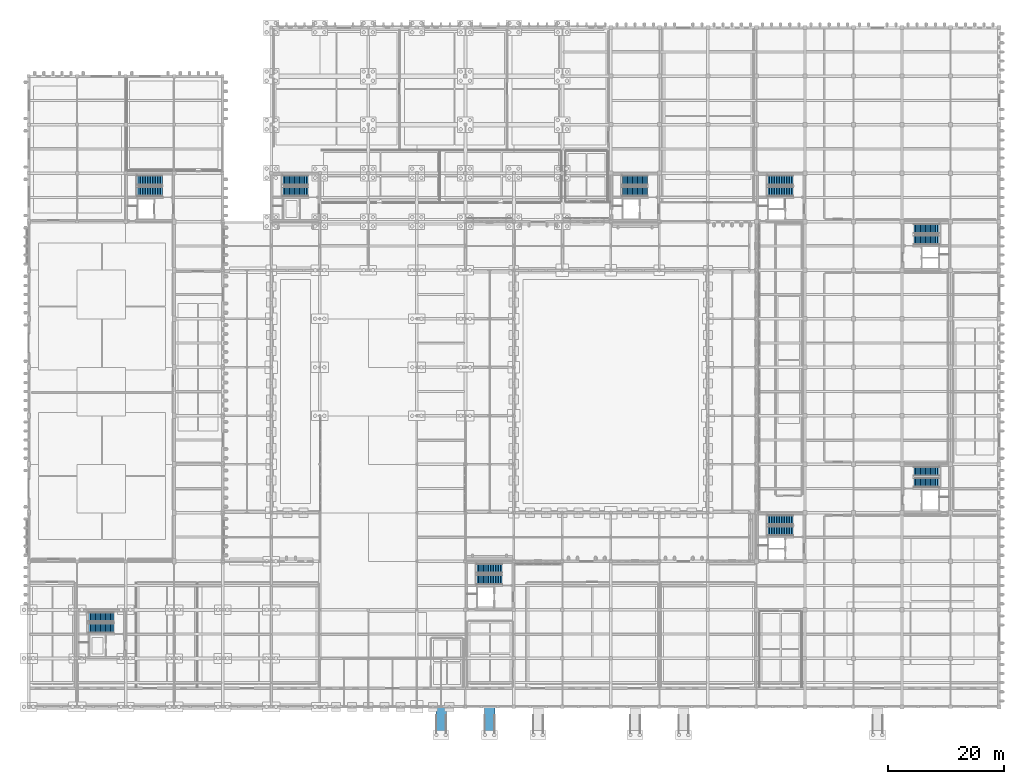
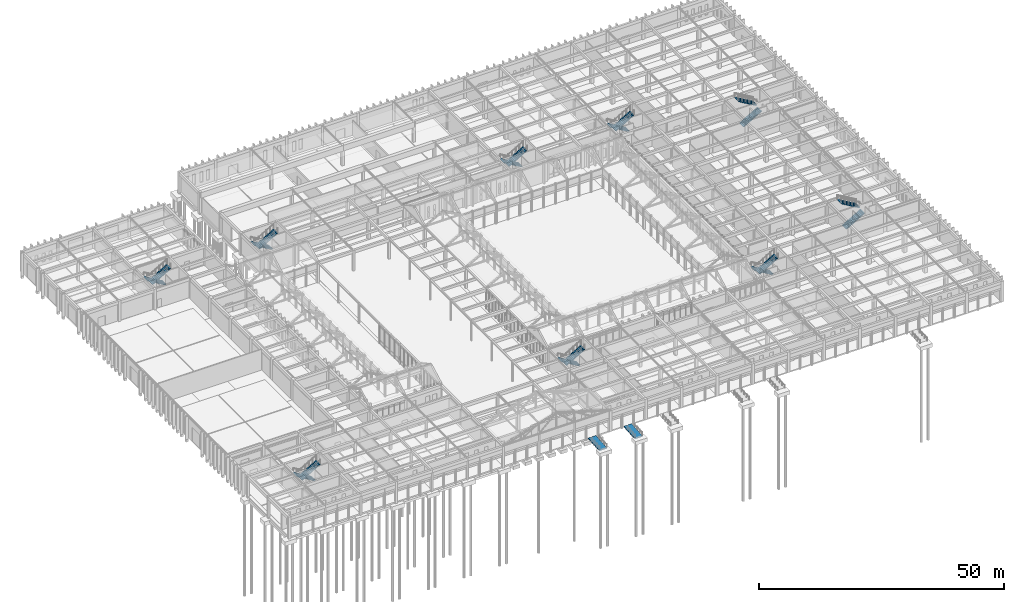
# One storey, part 129 of 143: 18 stair flights, 2 ramp flights, 11 elements without a shape of their own.
"""IFC4 building model written with IfcOpenShell, lengths in metres."""

from ifc_helpers import new_model, si_unit, direction, frame, origin, place, context, subcontext, project, spatial, polyline, outline, extrude, material, layer, layer_set, type_object, element, aggregate, save


model = new_model("IFC4")

# Units and contexts
model_context = context("Model", 3, precision=1e-05, world=origin(), true_north=direction((0.0, 1.0)))
body_context = subcontext(model_context, "Body", "Model", "MODEL_VIEW")
ifc_project = project(units=[si_unit("LENGTHUNIT", "METRE"), si_unit("AREAUNIT", "SQUARE_METRE"), si_unit("VOLUMEUNIT", "CUBIC_METRE"), si_unit("PLANEANGLEUNIT", "RADIAN"), si_unit("MASSUNIT", "GRAM", prefix="KILO")], contexts=[model_context])

# Site, building, storey
site_placement = place(None, origin())
site = spatial("IfcSite", under=ifc_project, at=site_placement, CompositionType="ELEMENT")
building_placement = place(site_placement, origin())
building = spatial("IfcBuilding", under=site, at=building_placement, Name="Kveldsbrygga Polytechnic", CompositionType="ELEMENT")
storey_placement = place(building_placement, origin())
storey = spatial("IfcBuildingStorey", under=building, at=storey_placement, Name="L00", CompositionType="ELEMENT", Elevation=0.0)

# Stair, stair flights
ifc_material = material(Name="Concrete C35/45", Category="concrete")
stair_type = type_object("IfcStairType", Name="STR-CORE-544", PredefinedType="HALF_TURN_STAIR", material=ifc_material)
stair_1_placement = place(storey_placement, origin())
stair_1 = element("IfcStair", 1, at=stair_1_placement, inside=storey, type_object=stair_type, Name="L00 Core C1 Escape Stair ST-1", PredefinedType="HALF_TURN_STAIR")
stair_flight_type = type_object("IfcStairFlightType", Name="SFL-CORE-16R", PredefinedType="STRAIGHT", material=ifc_material)
stair_flight_1_placement = place(storey_placement, frame((132.35009765625, 32.375, 0.0), z_axis=(0.0, 0.0, 1.0), x_axis=(-1.0, 0.0, 0.0)))
stair_flight_1 = element("IfcStairFlight", 2, at=stair_flight_1_placement, type_object=stair_flight_type, Name="ST-1 flight 1", NumberOfRisers=16, NumberOfTreads=15, PredefinedType="STRAIGHT", RiserHeight=0.17, TreadLength=0.29, context=body_context, shape_type="SweptSolid", body=[
    extrude(outline(polyline([(0.0, 0.0), (0.0, 0.169921875), (0.2900390625, 0.169921875), (0.2900390625, 0.340087890625), (0.580078125, 0.340087890625), (0.580078125, 0.510009765625), (0.8701171875, 0.510009765625), (0.8701171875, 0.679931640625), (1.159912109375, 0.679931640625), (1.159912109375, 0.85009765625), (1.449951171875, 0.85009765625), (1.449951171875, 1.02001953125), (1.739990234375, 1.02001953125), (1.739990234375, 1.18994140625), (2.030029296875, 1.18994140625), (2.030029296875, 1.360107421875), (2.320068359375, 1.360107421875), (2.320068359375, 1.530029296875), (2.610107421875, 1.530029296875), (2.610107421875, 1.699951171875), (2.89990234375, 1.699951171875), (2.89990234375, 1.8701171875), (3.18994140625, 1.8701171875), (3.18994140625, 2.0400390625), (3.47998046875, 2.0400390625), (3.47998046875, 2.2099609375), (3.77001953125, 2.2099609375), (3.77001953125, 2.3798828125), (4.06005859375, 2.3798828125), (4.06005859375, 2.550048828125), (4.35009765625, 2.550048828125), (4.35009765625, 2.719970703125), (4.35009765625, 2.36474609375), (0.316162109375, 0.0), (0.0, 0.0)])), frame((0.0, 0.824951171875, 0.0), z_axis=(0.0, -1.0, 0.0), x_axis=(1.0, 0.0, 0.0)), (0.0, 0.0, 1.0), 1.64990234375),
])
stair_flight_2_placement = place(storey_placement, frame((128.0, 30.425048828125, 2.719970703125), z_axis=(0.0, 0.0, 1.0), x_axis=(1.0, 0.0, 0.0)))
stair_flight_2 = element("IfcStairFlight", 3, at=stair_flight_2_placement, type_object=stair_flight_type, Name="ST-1 flight 2", NumberOfRisers=16, NumberOfTreads=15, PredefinedType="STRAIGHT", RiserHeight=0.17, TreadLength=0.29, context=body_context, shape_type="SweptSolid", body=[
    extrude(outline(polyline([(0.0, 0.0), (0.0, 0.169921875), (0.2900390625, 0.169921875), (0.2900390625, 0.340087890625), (0.580078125, 0.340087890625), (0.580078125, 0.510009765625), (0.8701171875, 0.510009765625), (0.8701171875, 0.679931640625), (1.159912109375, 0.679931640625), (1.159912109375, 0.85009765625), (1.449951171875, 0.85009765625), (1.449951171875, 1.02001953125), (1.739990234375, 1.02001953125), (1.739990234375, 1.18994140625), (2.030029296875, 1.18994140625), (2.030029296875, 1.360107421875), (2.320068359375, 1.360107421875), (2.320068359375, 1.530029296875), (2.610107421875, 1.530029296875), (2.610107421875, 1.699951171875), (2.89990234375, 1.699951171875), (2.89990234375, 1.8701171875), (3.18994140625, 1.8701171875), (3.18994140625, 2.0400390625), (3.47998046875, 2.0400390625), (3.47998046875, 2.2099609375), (3.77001953125, 2.2099609375), (3.77001953125, 2.3798828125), (4.06005859375, 2.3798828125), (4.06005859375, 2.550048828125), (4.35009765625, 2.550048828125), (4.35009765625, 2.719970703125), (4.35009765625, 2.36474609375), (0.316162109375, 0.0), (0.0, 0.0)])), frame((0.0, 0.824951171875, 0.0), z_axis=(0.0, -1.0, 0.0), x_axis=(1.0, 0.0, 0.0)), (0.0, 0.0, 1.0), 1.64990234375),
])
aggregate(stair_1, [stair_flight_1, stair_flight_2])

stair_2_placement = place(storey_placement, origin())
stair_2 = element("IfcStair", 4, at=stair_2_placement, inside=storey, type_object=stair_type, Name="L00 Core C2 Escape Stair ST-2", PredefinedType="HALF_TURN_STAIR")
stair_flight_3_placement = place(storey_placement, frame((132.35009765625, 91.175048828125, 0.0), z_axis=(0.0, 0.0, 1.0), x_axis=(-1.0, 0.0, 0.0)))
stair_flight_3 = element("IfcStairFlight", 5, at=stair_flight_3_placement, type_object=stair_flight_type, Name="ST-2 flight 1", NumberOfRisers=16, NumberOfTreads=15, PredefinedType="STRAIGHT", RiserHeight=0.17, TreadLength=0.29, context=body_context, shape_type="SweptSolid", body=[
    extrude(outline(polyline([(0.0, 0.0), (0.0, 0.169921875), (0.2900390625, 0.169921875), (0.2900390625, 0.340087890625), (0.580078125, 0.340087890625), (0.580078125, 0.510009765625), (0.8701171875, 0.510009765625), (0.8701171875, 0.679931640625), (1.159912109375, 0.679931640625), (1.159912109375, 0.85009765625), (1.449951171875, 0.85009765625), (1.449951171875, 1.02001953125), (1.739990234375, 1.02001953125), (1.739990234375, 1.18994140625), (2.030029296875, 1.18994140625), (2.030029296875, 1.360107421875), (2.320068359375, 1.360107421875), (2.320068359375, 1.530029296875), (2.610107421875, 1.530029296875), (2.610107421875, 1.699951171875), (2.89990234375, 1.699951171875), (2.89990234375, 1.8701171875), (3.18994140625, 1.8701171875), (3.18994140625, 2.0400390625), (3.47998046875, 2.0400390625), (3.47998046875, 2.2099609375), (3.77001953125, 2.2099609375), (3.77001953125, 2.3798828125), (4.06005859375, 2.3798828125), (4.06005859375, 2.550048828125), (4.35009765625, 2.550048828125), (4.35009765625, 2.719970703125), (4.35009765625, 2.36474609375), (0.316162109375, 0.0), (0.0, 0.0)])), frame((0.0, 0.824951171875, 0.0), z_axis=(0.0, -1.0, 0.0), x_axis=(1.0, 0.0, 0.0)), (0.0, 0.0, 1.0), 1.64990234375),
])
stair_flight_4_placement = place(storey_placement, frame((128.0, 89.22509765625, 2.719970703125), z_axis=(0.0, 0.0, 1.0), x_axis=(1.0, 0.0, 0.0)))
stair_flight_4 = element("IfcStairFlight", 6, at=stair_flight_4_placement, type_object=stair_flight_type, Name="ST-2 flight 2", NumberOfRisers=16, NumberOfTreads=15, PredefinedType="STRAIGHT", RiserHeight=0.17, TreadLength=0.29, context=body_context, shape_type="SweptSolid", body=[
    extrude(outline(polyline([(0.0, 0.0), (0.0, 0.169921875), (0.2900390625, 0.169921875), (0.2900390625, 0.340087890625), (0.580078125, 0.340087890625), (0.580078125, 0.510009765625), (0.8701171875, 0.510009765625), (0.8701171875, 0.679931640625), (1.159912109375, 0.679931640625), (1.159912109375, 0.85009765625), (1.449951171875, 0.85009765625), (1.449951171875, 1.02001953125), (1.739990234375, 1.02001953125), (1.739990234375, 1.18994140625), (2.030029296875, 1.18994140625), (2.030029296875, 1.360107421875), (2.320068359375, 1.360107421875), (2.320068359375, 1.530029296875), (2.610107421875, 1.530029296875), (2.610107421875, 1.699951171875), (2.89990234375, 1.699951171875), (2.89990234375, 1.8701171875), (3.18994140625, 1.8701171875), (3.18994140625, 2.0400390625), (3.47998046875, 2.0400390625), (3.47998046875, 2.2099609375), (3.77001953125, 2.2099609375), (3.77001953125, 2.3798828125), (4.06005859375, 2.3798828125), (4.06005859375, 2.550048828125), (4.35009765625, 2.550048828125), (4.35009765625, 2.719970703125), (4.35009765625, 2.36474609375), (0.316162109375, 0.0), (0.0, 0.0)])), frame((0.0, 0.824951171875, 0.0), z_axis=(0.0, -1.0, 0.0), x_axis=(1.0, 0.0, 0.0)), (0.0, 0.0, 1.0), 1.64990234375),
])
aggregate(stair_2, [stair_flight_3, stair_flight_4])

stair_3_placement = place(storey_placement, origin())
stair_3 = element("IfcStair", 7, at=stair_3_placement, inside=storey, type_object=stair_type, Name="L00 Core C3 Escape Stair ST-3", PredefinedType="HALF_TURN_STAIR")
stair_flight_5_placement = place(storey_placement, frame((153.25, 38.824951171875, 0.0), z_axis=(0.0, 0.0, 1.0), x_axis=(1.0, 0.0, 0.0)))
stair_flight_5 = element("IfcStairFlight", 8, at=stair_flight_5_placement, type_object=stair_flight_type, Name="ST-3 flight 1", NumberOfRisers=16, NumberOfTreads=15, PredefinedType="STRAIGHT", RiserHeight=0.17, TreadLength=0.29, context=body_context, shape_type="SweptSolid", body=[
    extrude(outline(polyline([(0.0, 0.0), (0.0, 0.169921875), (0.2900390625, 0.169921875), (0.2900390625, 0.340087890625), (0.580078125, 0.340087890625), (0.580078125, 0.510009765625), (0.8701171875, 0.510009765625), (0.8701171875, 0.679931640625), (1.159912109375, 0.679931640625), (1.159912109375, 0.85009765625), (1.449951171875, 0.85009765625), (1.449951171875, 1.02001953125), (1.739990234375, 1.02001953125), (1.739990234375, 1.18994140625), (2.030029296875, 1.18994140625), (2.030029296875, 1.360107421875), (2.320068359375, 1.360107421875), (2.320068359375, 1.530029296875), (2.610107421875, 1.530029296875), (2.610107421875, 1.699951171875), (2.89990234375, 1.699951171875), (2.89990234375, 1.8701171875), (3.18994140625, 1.8701171875), (3.18994140625, 2.0400390625), (3.47998046875, 2.0400390625), (3.47998046875, 2.2099609375), (3.77001953125, 2.2099609375), (3.77001953125, 2.3798828125), (4.06005859375, 2.3798828125), (4.06005859375, 2.550048828125), (4.35009765625, 2.550048828125), (4.35009765625, 2.719970703125), (4.35009765625, 2.36474609375), (0.316162109375, 0.0), (0.0, 0.0)])), frame((0.0, 0.824951171875, 0.0), z_axis=(0.0, -1.0, 0.0), x_axis=(1.0, 0.0, 0.0)), (0.0, 0.0, 1.0), 1.64990234375),
])
stair_flight_6_placement = place(storey_placement, frame((157.60009765625, 40.77490234375, 2.719970703125), z_axis=(0.0, 0.0, 1.0), x_axis=(-1.0, 0.0, 0.0)))
stair_flight_6 = element("IfcStairFlight", 9, at=stair_flight_6_placement, type_object=stair_flight_type, Name="ST-3 flight 2", NumberOfRisers=16, NumberOfTreads=15, PredefinedType="STRAIGHT", RiserHeight=0.17, TreadLength=0.29, context=body_context, shape_type="SweptSolid", body=[
    extrude(outline(polyline([(0.0, 0.0), (0.0, 0.169921875), (0.2900390625, 0.169921875), (0.2900390625, 0.340087890625), (0.580078125, 0.340087890625), (0.580078125, 0.510009765625), (0.8701171875, 0.510009765625), (0.8701171875, 0.679931640625), (1.159912109375, 0.679931640625), (1.159912109375, 0.85009765625), (1.449951171875, 0.85009765625), (1.449951171875, 1.02001953125), (1.739990234375, 1.02001953125), (1.739990234375, 1.18994140625), (2.030029296875, 1.18994140625), (2.030029296875, 1.360107421875), (2.320068359375, 1.360107421875), (2.320068359375, 1.530029296875), (2.610107421875, 1.530029296875), (2.610107421875, 1.699951171875), (2.89990234375, 1.699951171875), (2.89990234375, 1.8701171875), (3.18994140625, 1.8701171875), (3.18994140625, 2.0400390625), (3.47998046875, 2.0400390625), (3.47998046875, 2.2099609375), (3.77001953125, 2.2099609375), (3.77001953125, 2.3798828125), (4.06005859375, 2.3798828125), (4.06005859375, 2.550048828125), (4.35009765625, 2.550048828125), (4.35009765625, 2.719970703125), (4.35009765625, 2.36474609375), (0.316162109375, 0.0), (0.0, 0.0)])), frame((0.0, 0.824951171875, 0.0), z_axis=(0.0, -1.0, 0.0), x_axis=(1.0, 0.0, 0.0)), (0.0, 0.0, 1.0), 1.64990234375),
])
aggregate(stair_3, [stair_flight_5, stair_flight_6])

stair_4_placement = place(storey_placement, origin())
stair_4 = element("IfcStair", 10, at=stair_4_placement, inside=storey, type_object=stair_type, Name="L00 Core C4 Escape Stair ST-4", PredefinedType="HALF_TURN_STAIR")
stair_flight_7_placement = place(storey_placement, frame((153.25, 80.824951171875, 0.0), z_axis=(0.0, 0.0, 1.0), x_axis=(1.0, 0.0, 0.0)))
stair_flight_7 = element("IfcStairFlight", 11, at=stair_flight_7_placement, type_object=stair_flight_type, Name="ST-4 flight 1", NumberOfRisers=16, NumberOfTreads=15, PredefinedType="STRAIGHT", RiserHeight=0.17, TreadLength=0.29, context=body_context, shape_type="SweptSolid", body=[
    extrude(outline(polyline([(0.0, 0.0), (0.0, 0.169921875), (0.2900390625, 0.169921875), (0.2900390625, 0.340087890625), (0.580078125, 0.340087890625), (0.580078125, 0.510009765625), (0.8701171875, 0.510009765625), (0.8701171875, 0.679931640625), (1.159912109375, 0.679931640625), (1.159912109375, 0.85009765625), (1.449951171875, 0.85009765625), (1.449951171875, 1.02001953125), (1.739990234375, 1.02001953125), (1.739990234375, 1.18994140625), (2.030029296875, 1.18994140625), (2.030029296875, 1.360107421875), (2.320068359375, 1.360107421875), (2.320068359375, 1.530029296875), (2.610107421875, 1.530029296875), (2.610107421875, 1.699951171875), (2.89990234375, 1.699951171875), (2.89990234375, 1.8701171875), (3.18994140625, 1.8701171875), (3.18994140625, 2.0400390625), (3.47998046875, 2.0400390625), (3.47998046875, 2.2099609375), (3.77001953125, 2.2099609375), (3.77001953125, 2.3798828125), (4.06005859375, 2.3798828125), (4.06005859375, 2.550048828125), (4.35009765625, 2.550048828125), (4.35009765625, 2.719970703125), (4.35009765625, 2.36474609375), (0.316162109375, 0.0), (0.0, 0.0)])), frame((0.0, 0.824951171875, 0.0), z_axis=(0.0, -1.0, 0.0), x_axis=(1.0, 0.0, 0.0)), (0.0, 0.0, 1.0), 1.64990234375),
])
stair_flight_8_placement = place(storey_placement, frame((157.60009765625, 82.77490234375, 2.719970703125), z_axis=(0.0, 0.0, 1.0), x_axis=(-1.0, 0.0, 0.0)))
stair_flight_8 = element("IfcStairFlight", 12, at=stair_flight_8_placement, type_object=stair_flight_type, Name="ST-4 flight 2", NumberOfRisers=16, NumberOfTreads=15, PredefinedType="STRAIGHT", RiserHeight=0.17, TreadLength=0.29, context=body_context, shape_type="SweptSolid", body=[
    extrude(outline(polyline([(0.0, 0.0), (0.0, 0.169921875), (0.2900390625, 0.169921875), (0.2900390625, 0.340087890625), (0.580078125, 0.340087890625), (0.580078125, 0.510009765625), (0.8701171875, 0.510009765625), (0.8701171875, 0.679931640625), (1.159912109375, 0.679931640625), (1.159912109375, 0.85009765625), (1.449951171875, 0.85009765625), (1.449951171875, 1.02001953125), (1.739990234375, 1.02001953125), (1.739990234375, 1.18994140625), (2.030029296875, 1.18994140625), (2.030029296875, 1.360107421875), (2.320068359375, 1.360107421875), (2.320068359375, 1.530029296875), (2.610107421875, 1.530029296875), (2.610107421875, 1.699951171875), (2.89990234375, 1.699951171875), (2.89990234375, 1.8701171875), (3.18994140625, 1.8701171875), (3.18994140625, 2.0400390625), (3.47998046875, 2.0400390625), (3.47998046875, 2.2099609375), (3.77001953125, 2.2099609375), (3.77001953125, 2.3798828125), (4.06005859375, 2.3798828125), (4.06005859375, 2.550048828125), (4.35009765625, 2.550048828125), (4.35009765625, 2.719970703125), (4.35009765625, 2.36474609375), (0.316162109375, 0.0), (0.0, 0.0)])), frame((0.0, 0.824951171875, 0.0), z_axis=(0.0, -1.0, 0.0), x_axis=(1.0, 0.0, 0.0)), (0.0, 0.0, 1.0), 1.64990234375),
])
aggregate(stair_4, [stair_flight_7, stair_flight_8])

stair_5_placement = place(storey_placement, origin())
stair_5 = element("IfcStair", 13, at=stair_5_placement, inside=storey, type_object=stair_type, Name="L00 Core C5 Escape Stair ST-5", PredefinedType="HALF_TURN_STAIR")
stair_flight_9_placement = place(storey_placement, frame((107.14990234375, 91.175048828125, 0.0), z_axis=(0.0, 0.0, 1.0), x_axis=(-1.0, 0.0, 0.0)))
stair_flight_9 = element("IfcStairFlight", 14, at=stair_flight_9_placement, type_object=stair_flight_type, Name="ST-5 flight 1", NumberOfRisers=16, NumberOfTreads=15, PredefinedType="STRAIGHT", RiserHeight=0.17, TreadLength=0.29, context=body_context, shape_type="SweptSolid", body=[
    extrude(outline(polyline([(0.0, 0.0), (0.0, 0.169921875), (0.2900390625, 0.169921875), (0.2900390625, 0.340087890625), (0.580078125, 0.340087890625), (0.580078125, 0.510009765625), (0.8701171875, 0.510009765625), (0.8701171875, 0.679931640625), (1.159912109375, 0.679931640625), (1.159912109375, 0.85009765625), (1.449951171875, 0.85009765625), (1.449951171875, 1.02001953125), (1.739990234375, 1.02001953125), (1.739990234375, 1.18994140625), (2.030029296875, 1.18994140625), (2.030029296875, 1.360107421875), (2.320068359375, 1.360107421875), (2.320068359375, 1.530029296875), (2.610107421875, 1.530029296875), (2.610107421875, 1.699951171875), (2.89990234375, 1.699951171875), (2.89990234375, 1.8701171875), (3.18994140625, 1.8701171875), (3.18994140625, 2.0400390625), (3.47998046875, 2.0400390625), (3.47998046875, 2.2099609375), (3.77001953125, 2.2099609375), (3.77001953125, 2.3798828125), (4.06005859375, 2.3798828125), (4.06005859375, 2.550048828125), (4.35009765625, 2.550048828125), (4.35009765625, 2.719970703125), (4.35009765625, 2.36474609375), (0.316162109375, 0.0), (0.0, 0.0)])), frame((0.0, 0.824951171875, 0.0), z_axis=(0.0, -1.0, 0.0), x_axis=(1.0, 0.0, 0.0)), (0.0, 0.0, 1.0), 1.64990234375),
])
stair_flight_10_placement = place(storey_placement, frame((102.800048828125, 89.22509765625, 2.719970703125), z_axis=(0.0, 0.0, 1.0), x_axis=(1.0, 0.0, 0.0)))
stair_flight_10 = element("IfcStairFlight", 15, at=stair_flight_10_placement, type_object=stair_flight_type, Name="ST-5 flight 2", NumberOfRisers=16, NumberOfTreads=15, PredefinedType="STRAIGHT", RiserHeight=0.17, TreadLength=0.29, context=body_context, shape_type="SweptSolid", body=[
    extrude(outline(polyline([(0.0, 0.0), (0.0, 0.169921875), (0.2900390625, 0.169921875), (0.2900390625, 0.340087890625), (0.580078125, 0.340087890625), (0.580078125, 0.510009765625), (0.8701171875, 0.510009765625), (0.8701171875, 0.679931640625), (1.159912109375, 0.679931640625), (1.159912109375, 0.85009765625), (1.449951171875, 0.85009765625), (1.449951171875, 1.02001953125), (1.739990234375, 1.02001953125), (1.739990234375, 1.18994140625), (2.030029296875, 1.18994140625), (2.030029296875, 1.360107421875), (2.320068359375, 1.360107421875), (2.320068359375, 1.530029296875), (2.610107421875, 1.530029296875), (2.610107421875, 1.699951171875), (2.89990234375, 1.699951171875), (2.89990234375, 1.8701171875), (3.18994140625, 1.8701171875), (3.18994140625, 2.0400390625), (3.47998046875, 2.0400390625), (3.47998046875, 2.2099609375), (3.77001953125, 2.2099609375), (3.77001953125, 2.3798828125), (4.06005859375, 2.3798828125), (4.06005859375, 2.550048828125), (4.35009765625, 2.550048828125), (4.35009765625, 2.719970703125), (4.35009765625, 2.36474609375), (0.316162109375, 0.0), (0.0, 0.0)])), frame((0.0, 0.824951171875, 0.0), z_axis=(0.0, -1.0, 0.0), x_axis=(1.0, 0.0, 0.0)), (0.0, 0.0, 1.0), 1.64990234375),
])
aggregate(stair_5, [stair_flight_9, stair_flight_10])

stair_6_placement = place(storey_placement, origin())
stair_6 = element("IfcStair", 16, at=stair_6_placement, inside=storey, type_object=stair_type, Name="L00 Core C6 Escape Stair ST-6", PredefinedType="HALF_TURN_STAIR")
stair_flight_11_placement = place(storey_placement, frame((81.949951171875, 23.97509765625, 0.0), z_axis=(0.0, 0.0, 1.0), x_axis=(-1.0, 0.0, 0.0)))
stair_flight_11 = element("IfcStairFlight", 17, at=stair_flight_11_placement, type_object=stair_flight_type, Name="ST-6 flight 1", NumberOfRisers=16, NumberOfTreads=15, PredefinedType="STRAIGHT", RiserHeight=0.17, TreadLength=0.29, context=body_context, shape_type="SweptSolid", body=[
    extrude(outline(polyline([(0.0, 0.0), (0.0, 0.169921875), (0.2900390625, 0.169921875), (0.2900390625, 0.340087890625), (0.580078125, 0.340087890625), (0.580078125, 0.510009765625), (0.8701171875, 0.510009765625), (0.8701171875, 0.679931640625), (1.159912109375, 0.679931640625), (1.159912109375, 0.85009765625), (1.449951171875, 0.85009765625), (1.449951171875, 1.02001953125), (1.739990234375, 1.02001953125), (1.739990234375, 1.18994140625), (2.030029296875, 1.18994140625), (2.030029296875, 1.360107421875), (2.320068359375, 1.360107421875), (2.320068359375, 1.530029296875), (2.610107421875, 1.530029296875), (2.610107421875, 1.699951171875), (2.89990234375, 1.699951171875), (2.89990234375, 1.8701171875), (3.18994140625, 1.8701171875), (3.18994140625, 2.0400390625), (3.47998046875, 2.0400390625), (3.47998046875, 2.2099609375), (3.77001953125, 2.2099609375), (3.77001953125, 2.3798828125), (4.06005859375, 2.3798828125), (4.06005859375, 2.550048828125), (4.35009765625, 2.550048828125), (4.35009765625, 2.719970703125), (4.35009765625, 2.36474609375), (0.316162109375, 0.0), (0.0, 0.0)])), frame((0.0, 0.824951171875, 0.0), z_axis=(0.0, -1.0, 0.0), x_axis=(1.0, 0.0, 0.0)), (0.0, 0.0, 1.0), 1.64990234375),
])
stair_flight_12_placement = place(storey_placement, frame((77.60009765625, 22.02490234375, 2.719970703125), z_axis=(0.0, 0.0, 1.0), x_axis=(1.0, 0.0, 0.0)))
stair_flight_12 = element("IfcStairFlight", 18, at=stair_flight_12_placement, type_object=stair_flight_type, Name="ST-6 flight 2", NumberOfRisers=16, NumberOfTreads=15, PredefinedType="STRAIGHT", RiserHeight=0.17, TreadLength=0.29, context=body_context, shape_type="SweptSolid", body=[
    extrude(outline(polyline([(0.0, 0.0), (0.0, 0.169921875), (0.2900390625, 0.169921875), (0.2900390625, 0.340087890625), (0.580078125, 0.340087890625), (0.580078125, 0.510009765625), (0.8701171875, 0.510009765625), (0.8701171875, 0.679931640625), (1.159912109375, 0.679931640625), (1.159912109375, 0.85009765625), (1.449951171875, 0.85009765625), (1.449951171875, 1.02001953125), (1.739990234375, 1.02001953125), (1.739990234375, 1.18994140625), (2.030029296875, 1.18994140625), (2.030029296875, 1.360107421875), (2.320068359375, 1.360107421875), (2.320068359375, 1.530029296875), (2.610107421875, 1.530029296875), (2.610107421875, 1.699951171875), (2.89990234375, 1.699951171875), (2.89990234375, 1.8701171875), (3.18994140625, 1.8701171875), (3.18994140625, 2.0400390625), (3.47998046875, 2.0400390625), (3.47998046875, 2.2099609375), (3.77001953125, 2.2099609375), (3.77001953125, 2.3798828125), (4.06005859375, 2.3798828125), (4.06005859375, 2.550048828125), (4.35009765625, 2.550048828125), (4.35009765625, 2.719970703125), (4.35009765625, 2.36474609375), (0.316162109375, 0.0), (0.0, 0.0)])), frame((0.0, 0.824951171875, 0.0), z_axis=(0.0, -1.0, 0.0), x_axis=(1.0, 0.0, 0.0)), (0.0, 0.0, 1.0), 1.64990234375),
])
aggregate(stair_6, [stair_flight_11, stair_flight_12])

stair_7_placement = place(storey_placement, origin())
stair_7 = element("IfcStair", 19, at=stair_7_placement, inside=storey, type_object=stair_type, Name="L00 Core C7 Escape Stair ST-7", PredefinedType="HALF_TURN_STAIR")
stair_flight_13_placement = place(storey_placement, frame((48.35009765625, 91.175048828125, 0.0), z_axis=(0.0, 0.0, 1.0), x_axis=(-1.0, 0.0, 0.0)))
stair_flight_13 = element("IfcStairFlight", 20, at=stair_flight_13_placement, type_object=stair_flight_type, Name="ST-7 flight 1", NumberOfRisers=16, NumberOfTreads=15, PredefinedType="STRAIGHT", RiserHeight=0.17, TreadLength=0.29, context=body_context, shape_type="SweptSolid", body=[
    extrude(outline(polyline([(0.0, 0.0), (0.0, 0.169921875), (0.2900390625, 0.169921875), (0.2900390625, 0.340087890625), (0.580078125, 0.340087890625), (0.580078125, 0.510009765625), (0.8701171875, 0.510009765625), (0.8701171875, 0.679931640625), (1.159912109375, 0.679931640625), (1.159912109375, 0.85009765625), (1.449951171875, 0.85009765625), (1.449951171875, 1.02001953125), (1.739990234375, 1.02001953125), (1.739990234375, 1.18994140625), (2.030029296875, 1.18994140625), (2.030029296875, 1.360107421875), (2.320068359375, 1.360107421875), (2.320068359375, 1.530029296875), (2.610107421875, 1.530029296875), (2.610107421875, 1.699951171875), (2.89990234375, 1.699951171875), (2.89990234375, 1.8701171875), (3.18994140625, 1.8701171875), (3.18994140625, 2.0400390625), (3.47998046875, 2.0400390625), (3.47998046875, 2.2099609375), (3.77001953125, 2.2099609375), (3.77001953125, 2.3798828125), (4.06005859375, 2.3798828125), (4.06005859375, 2.550048828125), (4.35009765625, 2.550048828125), (4.35009765625, 2.719970703125), (4.35009765625, 2.36474609375), (0.316162109375, 0.0), (0.0, 0.0)])), frame((0.0, 0.824951171875, 0.0), z_axis=(0.0, -1.0, 0.0), x_axis=(1.0, 0.0, 0.0)), (0.0, 0.0, 1.0), 1.64990234375),
])
stair_flight_14_placement = place(storey_placement, frame((44.0, 89.22509765625, 2.719970703125), z_axis=(0.0, 0.0, 1.0), x_axis=(1.0, 0.0, 0.0)))
stair_flight_14 = element("IfcStairFlight", 21, at=stair_flight_14_placement, type_object=stair_flight_type, Name="ST-7 flight 2", NumberOfRisers=16, NumberOfTreads=15, PredefinedType="STRAIGHT", RiserHeight=0.17, TreadLength=0.29, context=body_context, shape_type="SweptSolid", body=[
    extrude(outline(polyline([(0.0, 0.0), (0.0, 0.169921875), (0.2900390625, 0.169921875), (0.2900390625, 0.340087890625), (0.580078125, 0.340087890625), (0.580078125, 0.510009765625), (0.8701171875, 0.510009765625), (0.8701171875, 0.679931640625), (1.159912109375, 0.679931640625), (1.159912109375, 0.85009765625), (1.449951171875, 0.85009765625), (1.449951171875, 1.02001953125), (1.739990234375, 1.02001953125), (1.739990234375, 1.18994140625), (2.030029296875, 1.18994140625), (2.030029296875, 1.360107421875), (2.320068359375, 1.360107421875), (2.320068359375, 1.530029296875), (2.610107421875, 1.530029296875), (2.610107421875, 1.699951171875), (2.89990234375, 1.699951171875), (2.89990234375, 1.8701171875), (3.18994140625, 1.8701171875), (3.18994140625, 2.0400390625), (3.47998046875, 2.0400390625), (3.47998046875, 2.2099609375), (3.77001953125, 2.2099609375), (3.77001953125, 2.3798828125), (4.06005859375, 2.3798828125), (4.06005859375, 2.550048828125), (4.35009765625, 2.550048828125), (4.35009765625, 2.719970703125), (4.35009765625, 2.36474609375), (0.316162109375, 0.0), (0.0, 0.0)])), frame((0.0, 0.824951171875, 0.0), z_axis=(0.0, -1.0, 0.0), x_axis=(1.0, 0.0, 0.0)), (0.0, 0.0, 1.0), 1.64990234375),
])
aggregate(stair_7, [stair_flight_13, stair_flight_14])

stair_8_placement = place(storey_placement, origin())
stair_8 = element("IfcStair", 22, at=stair_8_placement, inside=storey, type_object=stair_type, Name="L00 Core C8 Escape Stair ST-8", PredefinedType="HALF_TURN_STAIR")
stair_flight_15_placement = place(storey_placement, frame((23.14990234375, 91.175048828125, 0.0), z_axis=(0.0, 0.0, 1.0), x_axis=(-1.0, 0.0, 0.0)))
stair_flight_15 = element("IfcStairFlight", 23, at=stair_flight_15_placement, type_object=stair_flight_type, Name="ST-8 flight 1", NumberOfRisers=16, NumberOfTreads=15, PredefinedType="STRAIGHT", RiserHeight=0.17, TreadLength=0.29, context=body_context, shape_type="SweptSolid", body=[
    extrude(outline(polyline([(0.0, 0.0), (0.0, 0.169921875), (0.2900390625, 0.169921875), (0.2900390625, 0.340087890625), (0.580078125, 0.340087890625), (0.580078125, 0.510009765625), (0.8701171875, 0.510009765625), (0.8701171875, 0.679931640625), (1.159912109375, 0.679931640625), (1.159912109375, 0.85009765625), (1.449951171875, 0.85009765625), (1.449951171875, 1.02001953125), (1.739990234375, 1.02001953125), (1.739990234375, 1.18994140625), (2.030029296875, 1.18994140625), (2.030029296875, 1.360107421875), (2.320068359375, 1.360107421875), (2.320068359375, 1.530029296875), (2.610107421875, 1.530029296875), (2.610107421875, 1.699951171875), (2.89990234375, 1.699951171875), (2.89990234375, 1.8701171875), (3.18994140625, 1.8701171875), (3.18994140625, 2.0400390625), (3.47998046875, 2.0400390625), (3.47998046875, 2.2099609375), (3.77001953125, 2.2099609375), (3.77001953125, 2.3798828125), (4.06005859375, 2.3798828125), (4.06005859375, 2.550048828125), (4.35009765625, 2.550048828125), (4.35009765625, 2.719970703125), (4.35009765625, 2.36474609375), (0.316162109375, 0.0), (0.0, 0.0)])), frame((0.0, 0.824951171875, 0.0), z_axis=(0.0, -1.0, 0.0), x_axis=(1.0, 0.0, 0.0)), (0.0, 0.0, 1.0), 1.64990234375),
])
stair_flight_16_placement = place(storey_placement, frame((18.800048828125, 89.22509765625, 2.719970703125), z_axis=(0.0, 0.0, 1.0), x_axis=(1.0, 0.0, 0.0)))
stair_flight_16 = element("IfcStairFlight", 24, at=stair_flight_16_placement, type_object=stair_flight_type, Name="ST-8 flight 2", NumberOfRisers=16, NumberOfTreads=15, PredefinedType="STRAIGHT", RiserHeight=0.17, TreadLength=0.29, context=body_context, shape_type="SweptSolid", body=[
    extrude(outline(polyline([(0.0, 0.0), (0.0, 0.169921875), (0.2900390625, 0.169921875), (0.2900390625, 0.340087890625), (0.580078125, 0.340087890625), (0.580078125, 0.510009765625), (0.8701171875, 0.510009765625), (0.8701171875, 0.679931640625), (1.159912109375, 0.679931640625), (1.159912109375, 0.85009765625), (1.449951171875, 0.85009765625), (1.449951171875, 1.02001953125), (1.739990234375, 1.02001953125), (1.739990234375, 1.18994140625), (2.030029296875, 1.18994140625), (2.030029296875, 1.360107421875), (2.320068359375, 1.360107421875), (2.320068359375, 1.530029296875), (2.610107421875, 1.530029296875), (2.610107421875, 1.699951171875), (2.89990234375, 1.699951171875), (2.89990234375, 1.8701171875), (3.18994140625, 1.8701171875), (3.18994140625, 2.0400390625), (3.47998046875, 2.0400390625), (3.47998046875, 2.2099609375), (3.77001953125, 2.2099609375), (3.77001953125, 2.3798828125), (4.06005859375, 2.3798828125), (4.06005859375, 2.550048828125), (4.35009765625, 2.550048828125), (4.35009765625, 2.719970703125), (4.35009765625, 2.36474609375), (0.316162109375, 0.0), (0.0, 0.0)])), frame((0.0, 0.824951171875, 0.0), z_axis=(0.0, -1.0, 0.0), x_axis=(1.0, 0.0, 0.0)), (0.0, 0.0, 1.0), 1.64990234375),
])
aggregate(stair_8, [stair_flight_15, stair_flight_16])

stair_9_placement = place(storey_placement, origin())
stair_9 = element("IfcStair", 25, at=stair_9_placement, inside=storey, type_object=stair_type, Name="L00 Core C9 Escape Stair ST-9", PredefinedType="HALF_TURN_STAIR")
stair_flight_17_placement = place(storey_placement, frame((14.75, 15.574951171875, 0.0), z_axis=(0.0, 0.0, 1.0), x_axis=(-1.0, 0.0, 0.0)))
stair_flight_17 = element("IfcStairFlight", 26, at=stair_flight_17_placement, type_object=stair_flight_type, Name="ST-9 flight 1", NumberOfRisers=16, NumberOfTreads=15, PredefinedType="STRAIGHT", RiserHeight=0.17, TreadLength=0.29, context=body_context, shape_type="SweptSolid", body=[
    extrude(outline(polyline([(0.0, 0.0), (0.0, 0.169921875), (0.2900390625, 0.169921875), (0.2900390625, 0.340087890625), (0.580078125, 0.340087890625), (0.580078125, 0.510009765625), (0.8701171875, 0.510009765625), (0.8701171875, 0.679931640625), (1.159912109375, 0.679931640625), (1.159912109375, 0.85009765625), (1.449951171875, 0.85009765625), (1.449951171875, 1.02001953125), (1.739990234375, 1.02001953125), (1.739990234375, 1.18994140625), (2.030029296875, 1.18994140625), (2.030029296875, 1.360107421875), (2.320068359375, 1.360107421875), (2.320068359375, 1.530029296875), (2.610107421875, 1.530029296875), (2.610107421875, 1.699951171875), (2.89990234375, 1.699951171875), (2.89990234375, 1.8701171875), (3.18994140625, 1.8701171875), (3.18994140625, 2.0400390625), (3.47998046875, 2.0400390625), (3.47998046875, 2.2099609375), (3.77001953125, 2.2099609375), (3.77001953125, 2.3798828125), (4.06005859375, 2.3798828125), (4.06005859375, 2.550048828125), (4.35009765625, 2.550048828125), (4.35009765625, 2.719970703125), (4.35009765625, 2.36474609375), (0.316162109375, 0.0), (0.0, 0.0)])), frame((0.0, 0.824951171875, 0.0), z_axis=(0.0, -1.0, 0.0), x_axis=(1.0, 0.0, 0.0)), (0.0, 0.0, 1.0), 1.64990234375),
])
stair_flight_18_placement = place(storey_placement, frame((10.39990234375, 13.625, 2.719970703125), z_axis=(0.0, 0.0, 1.0), x_axis=(1.0, 0.0, 0.0)))
stair_flight_18 = element("IfcStairFlight", 27, at=stair_flight_18_placement, type_object=stair_flight_type, Name="ST-9 flight 2", NumberOfRisers=16, NumberOfTreads=15, PredefinedType="STRAIGHT", RiserHeight=0.17, TreadLength=0.29, context=body_context, shape_type="SweptSolid", body=[
    extrude(outline(polyline([(0.0, 0.0), (0.0, 0.169921875), (0.2900390625, 0.169921875), (0.2900390625, 0.340087890625), (0.580078125, 0.340087890625), (0.580078125, 0.510009765625), (0.8701171875, 0.510009765625), (0.8701171875, 0.679931640625), (1.159912109375, 0.679931640625), (1.159912109375, 0.85009765625), (1.449951171875, 0.85009765625), (1.449951171875, 1.02001953125), (1.739990234375, 1.02001953125), (1.739990234375, 1.18994140625), (2.030029296875, 1.18994140625), (2.030029296875, 1.360107421875), (2.320068359375, 1.360107421875), (2.320068359375, 1.530029296875), (2.610107421875, 1.530029296875), (2.610107421875, 1.699951171875), (2.89990234375, 1.699951171875), (2.89990234375, 1.8701171875), (3.18994140625, 1.8701171875), (3.18994140625, 2.0400390625), (3.47998046875, 2.0400390625), (3.47998046875, 2.2099609375), (3.77001953125, 2.2099609375), (3.77001953125, 2.3798828125), (4.06005859375, 2.3798828125), (4.06005859375, 2.550048828125), (4.35009765625, 2.550048828125), (4.35009765625, 2.719970703125), (4.35009765625, 2.36474609375), (0.316162109375, 0.0), (0.0, 0.0)])), frame((0.0, 0.824951171875, 0.0), z_axis=(0.0, -1.0, 0.0), x_axis=(1.0, 0.0, 0.0)), (0.0, 0.0, 1.0), 1.64990234375),
])
aggregate(stair_9, [stair_flight_17, stair_flight_18])

# Ramp, ramp flight
ramp_type = type_object("IfcRampType", Name="RMP-PROM-180", PredefinedType="STRAIGHT_RUN_RAMP", material=ifc_material)
ramp_1_placement = place(storey_placement, origin())
ramp_1 = element("IfcRamp", 28, at=ramp_1_placement, inside=storey, type_object=ramp_type, Name="Step-Free Promenade Ramp RMP-01", PredefinedType="STRAIGHT_RUN_RAMP")
ifc_layer = layer(ifc_material, 0.25)
ifc_layer_set = layer_set([ifc_layer], Name="Concrete C35/45")
ramp_flight_type = type_object("IfcRampFlightType", Name="RMF-PROM-180", PredefinedType="STRAIGHT", material=ifc_layer_set)
ramp_flight_1_placement = place(storey_placement, frame((70.5, -4.5, -0.300048828125), z_axis=(0.0, -0.066236419102, 0.99780395709), x_axis=(1.0, 0.0, 0.0)))
ramp_flight_1 = element("IfcRampFlight", 29, at=ramp_flight_1_placement, type_object=ramp_flight_type, Name="Step-Free Ramp Flight RMP-01-FL1", PredefinedType="STRAIGHT", context=body_context, shape_type="SweptSolid", body=[
    extrude(outline(polyline([(0.0, 0.0), (1.800048828125, 0.0), (1.800048828125, 4.529967534336273), (0.0, 4.529967534336273), (0.0, 0.0)])), origin(), (0.0, 0.0, -1.0), 0.25),
])
aggregate(ramp_1, [ramp_flight_1])

ramp_2_placement = place(storey_placement, origin())
ramp_2 = element("IfcRamp", 30, at=ramp_2_placement, inside=storey, type_object=ramp_type, Name="Step-Free Promenade Ramp RMP-02", PredefinedType="STRAIGHT_RUN_RAMP")
ramp_flight_2_placement = place(storey_placement, frame((78.89990234375, -4.5, -0.300048828125), z_axis=(0.0, -0.066236419102, 0.99780395709), x_axis=(1.0, 0.0, 0.0)))
ramp_flight_2 = element("IfcRampFlight", 31, at=ramp_flight_2_placement, type_object=ramp_flight_type, Name="Step-Free Ramp Flight RMP-02-FL1", PredefinedType="STRAIGHT", context=body_context, shape_type="SweptSolid", body=[
    extrude(outline(polyline([(0.0, 0.0), (1.800048828125, 0.0), (1.800048828125, 4.529967534336273), (0.0, 4.529967534336273), (0.0, 0.0)])), origin(), (0.0, 0.0, -1.0), 0.25),
])
aggregate(ramp_2, [ramp_flight_2])

save(model, "model.ifc")
